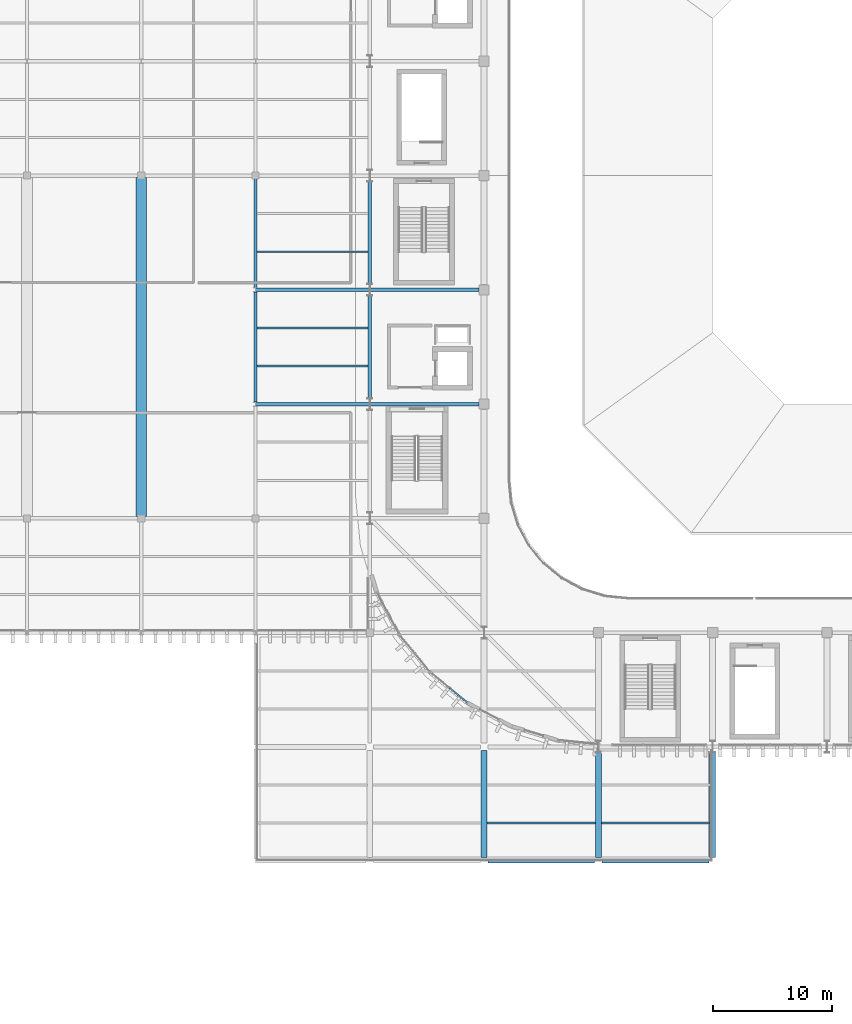
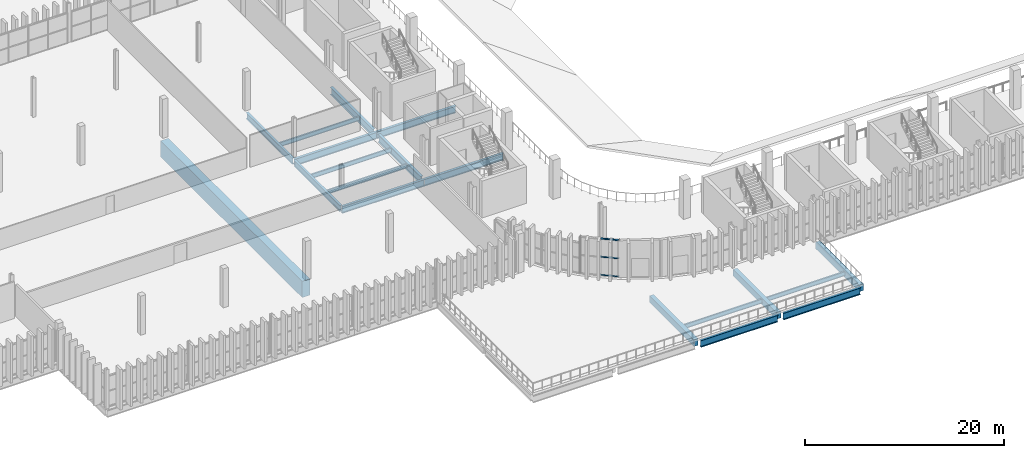
# One storey, part 20 of 99: 19 beams, 3 members, 1 element without a shape of its own.
"""IFC4 building model written with IfcOpenShell, lengths in metres."""

from ifc_helpers import new_model, si_unit, direction, frame, origin, origin_2d, place, context, subcontext, project, spatial, rectangle, i_section, extrude, material, layer, layer_set, material_profile, profile_set, type_object, element, aggregate, save


model = new_model("IFC4")

# Units and contexts
model_context = context("Model", 3, precision=1e-05, world=origin(), true_north=direction((0.0, 1.0)))
body_context = subcontext(model_context, "Body", "Model", "MODEL_VIEW")
ifc_project = project(units=[si_unit("LENGTHUNIT", "METRE"), si_unit("AREAUNIT", "SQUARE_METRE"), si_unit("VOLUMEUNIT", "CUBIC_METRE"), si_unit("PLANEANGLEUNIT", "RADIAN"), si_unit("MASSUNIT", "GRAM", prefix="KILO")], contexts=[model_context])

# Site, building, storey
site_placement = place(None, origin())
site = spatial("IfcSite", under=ifc_project, at=site_placement, CompositionType="ELEMENT")
building_placement = place(site_placement, origin())
building = spatial("IfcBuilding", under=site, at=building_placement, Name="Caelomonte Colonnade Arena", CompositionType="ELEMENT")
storey_placement = place(building_placement, frame((0.0, 0.0, 4.800048828125)))
storey = spatial("IfcBuildingStorey", under=building, at=storey_placement, Name="L01", CompositionType="ELEMENT", Elevation=4.800048828125)

# Curtain wall, members
ifc_material_1 = material(Name="Bronze anodised aluminium and low-E glazing", Category="aluminium")
ifc_layer = layer(ifc_material_1, 0.179931640625)
ifc_layer_set = layer_set([ifc_layer], Name="Bronze anodised aluminium and low-E glazing")
curtain_wall_type = type_object("IfcCurtainWallType", Name="ENV-CW-CW-L01-44-45", PredefinedType="USERDEFINED", material=ifc_layer_set)
curtain_wall_placement = place(storey_placement, origin())
curtain_wall = element("IfcCurtainWall", 1, at=curtain_wall_placement, inside=storey, type_object=curtain_wall_type, Name="L01 unitized curtain wall CW-L01-0643-0242", ObjectType="UNITIZED CURTAIN WALL", PredefinedType="USERDEFINED")
ifc_material_2 = material(Name="Bronze anodised aluminium AA6063-T6", Category="aluminium")
ifc_material_profile_1 = material_profile(ifc_material_2, rectangle(XDim=0.070068359375, YDim=0.139892578125, at=origin_2d()), Name="CWT-70X140")
ifc_profile_set_1 = profile_set([ifc_material_profile_1], Name="Bronze anodised aluminium AA6063-T6")
member_type = type_object("IfcMemberType", Name="ENV-CW-TRAN1", PredefinedType="USERDEFINED", material=ifc_profile_set_1)
member_1_placement = place(storey_placement, frame((64.283203125, 24.161865234375, 0.034912109375), z_axis=(0.772989936128, -0.634418283662, 0.0), x_axis=(0.0, 0.0, 1.0)))
member_1 = element("IfcMember", 2, at=member_1_placement, type_object=member_type, Name="CW-L01-44-45 transom 2.1", ObjectType="TRANSOM", PredefinedType="USERDEFINED", context=body_context, shape_type="SweptSolid", body=[
    extrude(rectangle(XDim=0.070068359375, YDim=0.139892578125, at=origin_2d()), origin(), (0.0, 0.0, 1.0), 1.913330078125),
])
member_2_placement = place(storey_placement, frame((64.283203125, 24.161865234375, 2.260009765625), z_axis=(0.772989936128, -0.634418283662, 0.0), x_axis=(0.0, 0.0, 1.0)))
member_2 = element("IfcMember", 3, at=member_2_placement, type_object=member_type, Name="CW-L01-44-45 transom 2.2", ObjectType="TRANSOM", PredefinedType="USERDEFINED", context=body_context, shape_type="SweptSolid", body=[
    extrude(rectangle(XDim=0.070068359375, YDim=0.139892578125, at=origin_2d()), origin(), (0.0, 0.0, 1.0), 1.913330078125),
])
member_3_placement = place(storey_placement, frame((64.283203125, 24.161865234375, 4.48486328125), z_axis=(0.772989936128, -0.634418283662, 0.0), x_axis=(0.0, 0.0, 1.0)))
member_3 = element("IfcMember", 4, at=member_3_placement, type_object=member_type, Name="CW-L01-44-45 transom 2.3", ObjectType="TRANSOM", PredefinedType="USERDEFINED", context=body_context, shape_type="SweptSolid", body=[
    extrude(rectangle(XDim=0.070068359375, YDim=0.139892578125, at=origin_2d()), origin(), (0.0, 0.0, 1.0), 1.913330078125),
])
aggregate(curtain_wall, [member_1, member_2, member_3])

# Beams
ifc_material_3 = material(Name="Wide-flange steel ASTM A992 Grade 50", Category="steel")
ifc_material_profile_2 = material_profile(ifc_material_3, i_section(OverallWidth=0.307861328125, OverallDepth=0.927001953125, WebThickness=0.019287109375, FlangeThickness=0.031982421875, FilletRadius=0.020263671875, at=origin_2d()), Name="W36X194")
ifc_profile_set_2 = profile_set([ifc_material_profile_2], Name="Wide-flange steel ASTM A992 Grade 50")
beam_type_1 = type_object("IfcBeamType", Name="STR-BM-EAVES2", PredefinedType="SPANDREL", material=ifc_profile_set_2)
beam_1_placement = place(storey_placement, frame((57.60009765625, 48.5126953125, -0.763427734375), z_axis=(0.0, 1.0, 0.0), x_axis=(-1.0, 0.0, 0.0)))
element("IfcBeam", 5, at=beam_1_placement, inside=storey, type_object=beam_type_1, Name="L01 girder BMY-L01-0576-0480", PredefinedType="SPANDREL", context=body_context, shape_type="SweptSolid", body=[
    extrude(i_section(OverallWidth=0.307861328125, OverallDepth=0.927001953125, WebThickness=0.019287109375, FlangeThickness=0.031982421875, FilletRadius=0.020263671875, at=origin_2d()), origin(), (0.0, 0.0, 1.0), 8.57470703125),
])
beam_2_placement = place(storey_placement, frame((57.60009765625, 58.11279296875, -0.763427734375), z_axis=(0.0, 1.0, 0.0), x_axis=(-1.0, 0.0, 0.0)))
element("IfcBeam", 6, at=beam_2_placement, inside=storey, type_object=beam_type_1, Name="L01 girder BMY-L01-0576-0576", PredefinedType="SPANDREL", context=body_context, shape_type="SweptSolid", body=[
    extrude(i_section(OverallWidth=0.307861328125, OverallDepth=0.927001953125, WebThickness=0.019287109375, FlangeThickness=0.031982421875, FilletRadius=0.020263671875, at=origin_2d()), origin(), (0.0, 0.0, 1.0), 8.574462890625),
])
ifc_material_profile_3 = material_profile(ifc_material_3, i_section(OverallWidth=0.2666015625, OverallDepth=0.761962890625, WebThickness=0.014404296875, FlangeThickness=0.021484375, FilletRadius=0.0166015625, at=origin_2d()), Name="W30X116")
ifc_profile_set_3 = profile_set([ifc_material_profile_3], Name="Wide-flange steel ASTM A992 Grade 50")
beam_type_2 = type_object("IfcBeamType", Name="STR-BM-GIRD30", PredefinedType="BEAM", material=ifc_profile_set_3)
beam_3_placement = place(storey_placement, frame((48.0, 48.170166015625, -0.68115234375), z_axis=(0.0, 1.0, 0.0), x_axis=(-1.0, 0.0, 0.0)))
element("IfcBeam", 7, at=beam_3_placement, inside=storey, type_object=beam_type_2, Name="L01 girder BMY-L01-0480-0480", PredefinedType="BEAM", context=body_context, shape_type="SweptSolid", body=[
    extrude(i_section(OverallWidth=0.2666015625, OverallDepth=0.761962890625, WebThickness=0.014404296875, FlangeThickness=0.021484375, FilletRadius=0.0166015625, at=origin_2d()), origin(), (0.0, 0.0, 1.0), 9.259765625),
])
beam_4_placement = place(storey_placement, frame((48.0, 57.77001953125, -0.68115234375), z_axis=(0.0, 1.0, 0.0), x_axis=(-1.0, 0.0, 0.0)))
element("IfcBeam", 8, at=beam_4_placement, inside=storey, type_object=beam_type_2, Name="L01 girder BMY-L01-0480-0576", PredefinedType="BEAM", context=body_context, shape_type="SweptSolid", body=[
    extrude(i_section(OverallWidth=0.2666015625, OverallDepth=0.761962890625, WebThickness=0.014404296875, FlangeThickness=0.021484375, FilletRadius=0.0166015625, at=origin_2d()), origin(), (0.0, 0.0, 1.0), 9.28564453125),
])
ifc_material_profile_4 = material_profile(ifc_material_3, i_section(OverallWidth=0.2919921875, OverallDepth=0.835693359375, WebThickness=0.013916015625, FlangeThickness=0.018798828125, FilletRadius=0.017822265625, at=origin_2d()), Name="W33X118")
ifc_profile_set_4 = profile_set([ifc_material_profile_4], Name="Wide-flange steel ASTM A992 Grade 50")
beam_type_3 = type_object("IfcBeamType", Name="STR-BM-GIRD33B", PredefinedType="BEAM", material=ifc_profile_set_4)
beam_5_placement = place(storey_placement, frame((67.51708984375, 9.60009765625, -0.7177734375), z_axis=(1.0, 0.0, 0.0), x_axis=(0.0, 1.0, 0.0)))
element("IfcBeam", 9, at=beam_5_placement, inside=storey, type_object=beam_type_3, Name="L01 girder BMX-L01-0672-0096", PredefinedType="BEAM", context=body_context, shape_type="SweptSolid", body=[
    extrude(i_section(OverallWidth=0.2919921875, OverallDepth=0.835693359375, WebThickness=0.013916015625, FlangeThickness=0.018798828125, FilletRadius=0.017822265625, at=origin_2d()), origin(), (0.0, 0.0, 1.0), 8.9658203125),
])
beam_6_placement = place(storey_placement, frame((77.116943359375, 9.60009765625, -0.7177734375), z_axis=(1.0, 0.0, 0.0), x_axis=(0.0, 1.0, 0.0)))
element("IfcBeam", 10, at=beam_6_placement, inside=storey, type_object=beam_type_3, Name="L01 girder BMX-L01-0768-0096", PredefinedType="BEAM", context=body_context, shape_type="SweptSolid", body=[
    extrude(i_section(OverallWidth=0.2919921875, OverallDepth=0.835693359375, WebThickness=0.013916015625, FlangeThickness=0.018798828125, FilletRadius=0.017822265625, at=origin_2d()), origin(), (0.0, 0.0, 1.0), 8.966064453125),
])
beam_7_placement = place(storey_placement, frame((48.005615234375, 48.0, -0.7177734375), z_axis=(1.0, 0.0, 0.0), x_axis=(0.0, 1.0, 0.0)))
element("IfcBeam", 11, at=beam_7_placement, inside=storey, type_object=beam_type_3, Name="L01 girder BMX-L01-0480-0480", PredefinedType="BEAM", context=body_context, shape_type="SweptSolid", body=[
    extrude(i_section(OverallWidth=0.2919921875, OverallDepth=0.835693359375, WebThickness=0.013916015625, FlangeThickness=0.018798828125, FilletRadius=0.017822265625, at=origin_2d()), origin(), (0.0, 0.0, 1.0), 9.578857421875),
])
beam_8_placement = place(storey_placement, frame((57.615478515625, 48.0, -0.7177734375), z_axis=(1.0, 0.0, 0.0), x_axis=(0.0, 1.0, 0.0)))
element("IfcBeam", 12, at=beam_8_placement, inside=storey, type_object=beam_type_3, Name="L01 girder BMX-L01-0576-0480", PredefinedType="BEAM", context=body_context, shape_type="SweptSolid", body=[
    extrude(i_section(OverallWidth=0.2919921875, OverallDepth=0.835693359375, WebThickness=0.013916015625, FlangeThickness=0.018798828125, FilletRadius=0.017822265625, at=origin_2d()), origin(), (0.0, 0.0, 1.0), 9.142578125),
])
beam_9_placement = place(storey_placement, frame((48.005615234375, 57.60009765625, -0.7177734375), z_axis=(1.0, 0.0, 0.0), x_axis=(0.0, 1.0, 0.0)))
element("IfcBeam", 13, at=beam_9_placement, inside=storey, type_object=beam_type_3, Name="L01 girder BMX-L01-0480-0576", PredefinedType="BEAM", context=body_context, shape_type="SweptSolid", body=[
    extrude(i_section(OverallWidth=0.2919921875, OverallDepth=0.835693359375, WebThickness=0.013916015625, FlangeThickness=0.018798828125, FilletRadius=0.017822265625, at=origin_2d()), origin(), (0.0, 0.0, 1.0), 9.578857421875),
])
beam_10_placement = place(storey_placement, frame((57.615478515625, 57.60009765625, -0.7177734375), z_axis=(1.0, 0.0, 0.0), x_axis=(0.0, 1.0, 0.0)))
element("IfcBeam", 14, at=beam_10_placement, inside=storey, type_object=beam_type_3, Name="L01 girder BMX-L01-0576-0576", PredefinedType="BEAM", context=body_context, shape_type="SweptSolid", body=[
    extrude(i_section(OverallWidth=0.2919921875, OverallDepth=0.835693359375, WebThickness=0.013916015625, FlangeThickness=0.018798828125, FilletRadius=0.017822265625, at=origin_2d()), origin(), (0.0, 0.0, 1.0), 9.142578125),
])
ifc_material_profile_5 = material_profile(ifc_material_3, i_section(OverallWidth=0.166015625, OverallDepth=0.5283203125, WebThickness=0.009765625, FlangeThickness=0.013671875, FilletRadius=0.0126953125, at=origin_2d()), Name="W21X50")
ifc_profile_set_5 = profile_set([ifc_material_profile_5], Name="Wide-flange steel ASTM A992 Grade 50")
beam_type_4 = type_object("IfcBeamType", Name="STR-BM-JOIST21B", PredefinedType="JOIST", material=ifc_profile_set_5)
for number, where, z_axis, x_axis, name in (
    (15, (48.12841796875, 51.199951171875, -0.564208984375), (1.0, 0.0, 0.0), (0.0, 1.0, 0.0), "L01 secondary joist 1"),
    (16, (48.12841796875, 54.39990234375, -0.564208984375), (1.0, 0.0, 0.0), (0.0, 1.0, 0.0), "L01 secondary joist 2"),
    (17, (48.12841796875, 60.800048828125, -0.564208984375), (1.0, 0.0, 0.0), (0.0, 1.0, 0.0), "L01 secondary joist 1"),
):
    element("IfcBeam", number, at=place(storey_placement, frame(where, z_axis=z_axis, x_axis=x_axis)), inside=storey, type_object=beam_type_4, Name=name, PredefinedType="JOIST", context=body_context, shape_type="SweptSolid", body=[
        extrude(i_section(OverallWidth=0.166015625, OverallDepth=0.5283203125, WebThickness=0.009765625, FlangeThickness=0.013671875, FilletRadius=0.0126953125, at=origin_2d()), origin(), (0.0, 0.0, 1.0), 9.32275390625),
    ])
beam_11_placement = place(storey_placement, frame((67.445068359375, 12.800048828125, -0.564208984375), z_axis=(1.0, 0.0, 0.0), x_axis=(0.0, 1.0, 0.0)))
element("IfcBeam", 18, at=beam_11_placement, inside=storey, type_object=beam_type_4, Name="L01 secondary joist 1", PredefinedType="JOIST", context=body_context, shape_type="SweptSolid", body=[
    extrude(i_section(OverallWidth=0.166015625, OverallDepth=0.5283203125, WebThickness=0.009765625, FlangeThickness=0.013671875, FilletRadius=0.0126953125, at=origin_2d()), origin(), (0.0, 0.0, 1.0), 9.10986328125),
])
beam_12_placement = place(storey_placement, frame((77.044921875, 12.800048828125, -0.564208984375), z_axis=(1.0, 0.0, 0.0), x_axis=(0.0, 1.0, 0.0)))
element("IfcBeam", 19, at=beam_12_placement, inside=storey, type_object=beam_type_4, Name="L01 secondary joist 1", PredefinedType="JOIST", context=body_context, shape_type="SweptSolid", body=[
    extrude(i_section(OverallWidth=0.166015625, OverallDepth=0.5283203125, WebThickness=0.009765625, FlangeThickness=0.013671875, FilletRadius=0.0126953125, at=origin_2d()), origin(), (0.0, 0.0, 1.0), 9.110107421875),
])
ifc_material_4 = material(Name="Concrete C40/50", Category="concrete")
ifc_material_profile_6 = material_profile(ifc_material_4, rectangle(XDim=0.5, YDim=0.800048828125, at=origin_2d()), Name="RC500X800")
ifc_profile_set_6 = profile_set([ifc_material_profile_6], Name="Concrete C40/50")
beam_type_5 = type_object("IfcBeamType", Name="STR-BM-RC50", PredefinedType="BEAM", material=ifc_profile_set_6)
beam_13_placement = place(storey_placement, frame((67.199951171875, 9.9169921875, -0.699951171875), z_axis=(0.0, 1.0, 0.0), x_axis=(-1.0, 0.0, 0.0)))
element("IfcBeam", 20, at=beam_13_placement, inside=storey, type_object=beam_type_5, Name="L01 girder BMY-L01-0672-0096", PredefinedType="BEAM", context=body_context, shape_type="SweptSolid", body=[
    extrude(rectangle(XDim=0.5, YDim=0.800048828125, at=origin_2d()), origin(), (0.0, 0.0, 1.0), 8.966064453125),
])
for number, where, z_axis, x_axis, name in (
    (21, (76.800048828125, 9.9169921875, -0.699951171875), (0.0, 1.0, 0.0), (-1.0, 0.0, 0.0), "L01 girder BMY-L01-0768-0096"),
    (22, (86.39990234375, 9.9169921875, -0.699951171875), (0.0, 1.0, 0.0), (-1.0, 0.0, 0.0), "L01 girder BMY-L01-0864-0096"),
):
    element("IfcBeam", number, at=place(storey_placement, frame(where, z_axis=z_axis, x_axis=x_axis)), inside=storey, type_object=beam_type_5, Name=name, PredefinedType="BEAM", context=body_context, shape_type="SweptSolid", body=[
        extrude(rectangle(XDim=0.5, YDim=0.800048828125, at=origin_2d()), origin(), (0.0, 0.0, 1.0), 8.770263671875),
    ])
ifc_material_5 = material(Name="Concrete C50/60", Category="concrete")
ifc_material_profile_7 = material_profile(ifc_material_5, rectangle(XDim=0.89990234375, YDim=2.0, at=origin_2d()), Name="RC900X2000")
ifc_profile_set_7 = profile_set([ifc_material_profile_7], Name="Concrete C50/60")
beam_type_6 = type_object("IfcBeamType", Name="STR-BM-TG20", PredefinedType="USERDEFINED", material=ifc_profile_set_7)
beam_14_placement = place(storey_placement, frame((38.39990234375, 38.54443359375, -1.300048828125), z_axis=(0.0, 1.0, 0.0), x_axis=(-1.0, 0.0, 0.0)))
element("IfcBeam", 23, at=beam_14_placement, inside=storey, type_object=beam_type_6, Name="L01 Transfer Girder BMY-L01-0384-0384", ObjectType="TRANSFER GIRDER", PredefinedType="USERDEFINED", context=body_context, shape_type="SweptSolid", body=[
    extrude(rectangle(XDim=0.89990234375, YDim=2.0, at=origin_2d()), origin(), (0.0, 0.0, 1.0), 28.51123046875),
])

save(model, "model.ifc")
